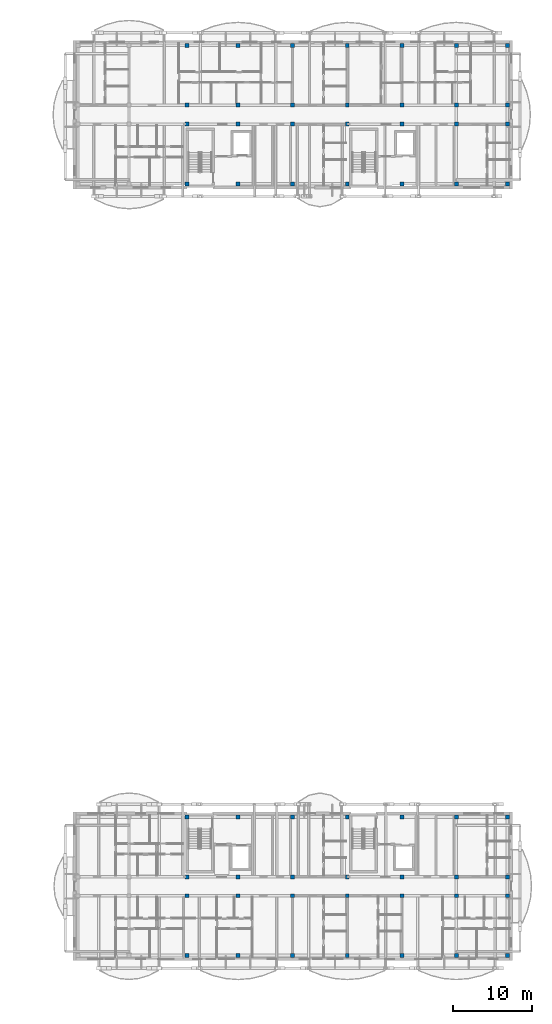
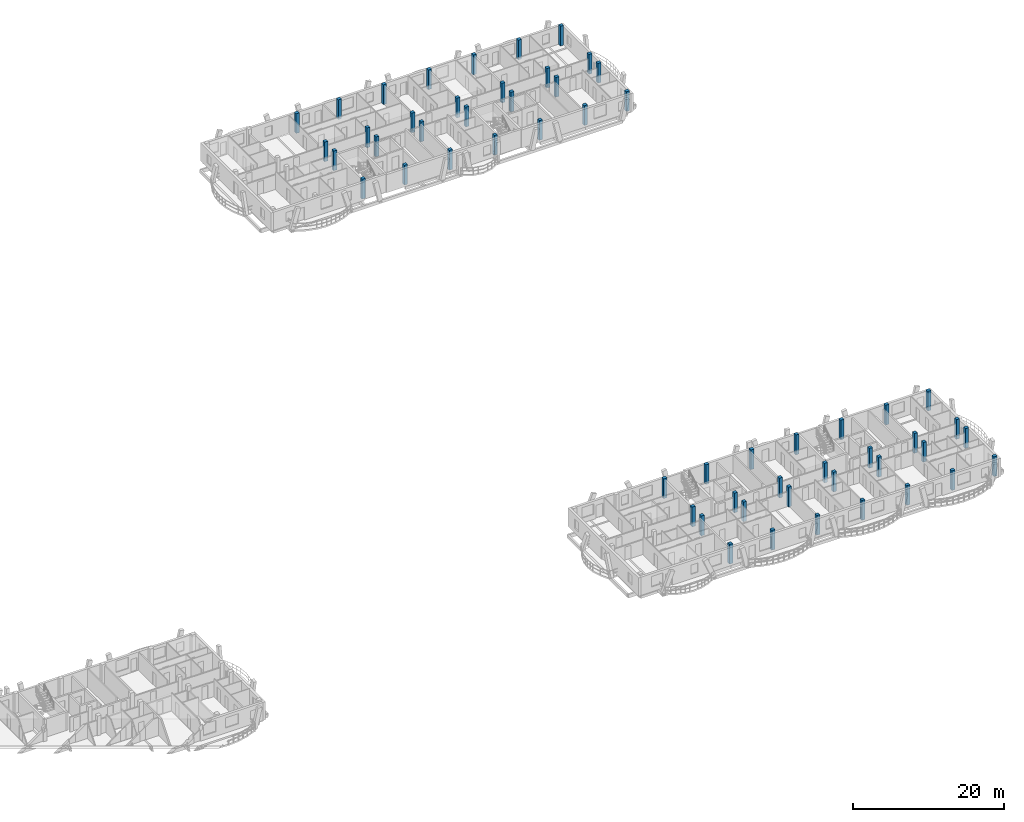
# One storey, part 3 of 50: 56 columns.
"""IFC4 building model written with IfcOpenShell, lengths in metres."""

import ifcopenshell
import ifcopenshell.guid

model = None  # the IFC model being written
_history = None  # IfcOwnerHistory: only IFC2X3 demands one
_inside = {}  # id of a spatial element -> (the spatial element, [elements in it])
_under = {}  # id of a project, library or spatial element -> (it, [spatial elements below it])
_declared = {}  # id of a project -> (the project, [libraries it declares])
_typed = {}  # id of a type object -> (the type object, [elements of that type])
_made_of = {}  # id of a material, layer set ... -> (it, [elements and type objects made of it])


def new_model(schema):
    """Start an empty IFC model of exactly this schema.

    Asked for "IFC4X3", IfcOpenShell would pick the latest addendum, in which some entities
    have other attributes; the version numbers below select the first issue.
    IFC2X3 requires an IfcOwnerHistory on every rooted entity: one is made here for all.
    """
    global model, _history
    if schema == "IFC4X3":
        model = ifcopenshell.file(schema_version=(4, 3, 0, 0))
    else:
        model = ifcopenshell.file(schema=schema)
    _inside.clear()
    _under.clear()
    _declared.clear()
    _typed.clear()
    _made_of.clear()
    _history = None
    if model.schema == "IFC2X3":
        org = make("IfcOrganization", Name="unknown")
        user = make(
            "IfcPersonAndOrganization",
            ThePerson=make("IfcPerson", FamilyName="unknown"),
            TheOrganization=org,
        )
        app = make(
            "IfcApplication",
            ApplicationDeveloper=org,
            Version="unknown",
            ApplicationFullName="unknown",
            ApplicationIdentifier="unknown",
        )
        _history = make(
            "IfcOwnerHistory",
            OwningUser=user,
            OwningApplication=app,
            ChangeAction="ADDED",
            CreationDate=0,
        )
    return model


def make(cls, **values):
    """One entity of the class cls with the attributes given. An attribute that is None is left unset."""
    return model.create_entity(
        cls, **{name: value for name, value in values.items() if value is not None}
    )


def rooted(cls, **values):
    """An entity with a GlobalId (a new one), such as an element, a storey or a relation."""
    return make(cls, GlobalId=ifcopenshell.guid.new(), OwnerHistory=_history, **values)


def si_unit(unit_type, name, prefix=None):
    """IfcSIUnit, for example si_unit("LENGTHUNIT", "METRE", prefix="MILLI")."""
    return make("IfcSIUnit", UnitType=unit_type, Prefix=prefix, Name=name)


def assignment(units):
    """IfcUnitAssignment: the units of a project."""
    return None if units is None else make("IfcUnitAssignment", Units=units)


def point(xyz):
    """IfcCartesianPoint."""
    return None if xyz is None else make("IfcCartesianPoint", Coordinates=xyz)


def direction(xyz):
    """IfcDirection."""
    return None if xyz is None else make("IfcDirection", DirectionRatios=xyz)


def frame(location, z_axis=None, x_axis=None):
    """IfcAxis2Placement3D, a coordinate frame: its origin and axes. An axis left out is left unset."""
    return make(
        "IfcAxis2Placement3D",
        Location=point(location),
        Axis=direction(z_axis),
        RefDirection=direction(x_axis),
    )


def frame_2d(location, x_axis=None):
    """IfcAxis2Placement2D, a coordinate frame in the plane: its origin and x axis."""
    return make(
        "IfcAxis2Placement2D", Location=point(location), RefDirection=direction(x_axis)
    )


def origin():
    """The frame at (0, 0, 0) with its axes left unset."""
    return frame((0.0, 0.0, 0.0))


def origin_2d():
    """The frame at (0, 0) in the plane with its x axis left unset."""
    return frame_2d((0.0, 0.0))


def place(relative_to, where):
    """IfcLocalPlacement: puts the frame where relative to a parent placement (None: the world)."""
    return make(
        "IfcLocalPlacement", PlacementRelTo=relative_to, RelativePlacement=where
    )


def context(
    kind, dimensions, precision=None, world=None, true_north=None, identifier=None
):
    """IfcGeometricRepresentationContext, for example the 3D "Model" context."""
    return make(
        "IfcGeometricRepresentationContext",
        ContextIdentifier=identifier,
        ContextType=kind,
        CoordinateSpaceDimension=dimensions,
        Precision=precision,
        WorldCoordinateSystem=world,
        TrueNorth=true_north,
    )


def subcontext(parent, identifier, kind, view, scale=None):
    """IfcGeometricRepresentationSubContext, for example "Body" below "Model"."""
    return make(
        "IfcGeometricRepresentationSubContext",
        ContextIdentifier=identifier,
        ContextType=kind,
        ParentContext=parent,
        TargetScale=scale,
        TargetView=view,
    )


def project(units=None, contexts=None):
    """IfcProject with its units and contexts."""
    return rooted(
        "IfcProject",
        Name="project",
        RepresentationContexts=contexts,
        UnitsInContext=assignment(units),
    )


def spatial(cls, under=None, at=None, **own):
    """A site, building, storey or space (cls), placed at a placement, below another one or the project."""
    s = rooted(cls, ObjectPlacement=at, **own)
    if under is not None:
        _under.setdefault(under.id(), (under, []))[1].append(s)
    return s


def profile(cls, at=None, kind="AREA", **sizes):
    """A parametric profile (cls). Its sizes go by their IFC names, for example OverallWidth=200.0."""
    return make(cls, ProfileType=kind, Position=at, **sizes)


def rectangle(**sizes):
    """IfcRectangleProfileDef."""
    return profile("IfcRectangleProfileDef", **sizes)


def extrude(swept, where, along, depth):
    """IfcExtrudedAreaSolid: the profile swept, set in the frame where, extruded along a direction by depth."""
    return make(
        "IfcExtrudedAreaSolid",
        SweptArea=swept,
        Position=where,
        ExtrudedDirection=direction(along),
        Depth=depth,
    )


def shape(context_of_items, identifier, shape_type, items):
    """IfcShapeRepresentation: the items that make up one representation, for example the "Body"."""
    return make(
        "IfcShapeRepresentation",
        ContextOfItems=context_of_items,
        RepresentationIdentifier=identifier,
        RepresentationType=shape_type,
        Items=items,
    )


def material(Name=None, Category=None):
    """IfcMaterial."""
    return make("IfcMaterial", Name=Name, Category=Category)


def material_profile(
    of_material, cross_section, Name=None, Category=None, Priority=None
):
    """IfcMaterialProfile: a cross section and its material."""
    return make(
        "IfcMaterialProfile",
        Name=Name,
        Material=of_material,
        Profile=cross_section,
        Priority=Priority,
        Category=Category,
    )


def profile_set(profiles, Name=None, composite=None):
    """IfcMaterialProfileSet."""
    return make(
        "IfcMaterialProfileSet",
        Name=Name,
        MaterialProfiles=profiles,
        CompositeProfile=composite,
    )


def made_of(thing, what):
    """Note that an element or type object is made of a material, layer set ...; save() writes the relation."""
    if what is not None:
        _made_of.setdefault(what.id(), (what, []))[1].append(thing)
    return thing


def type_object(cls, material=None, **own):
    """A type object (cls), such as IfcWallType, which elements share."""
    return made_of(rooted(cls, **own), material)


def element(
    cls,
    number,
    at=None,
    inside=None,
    cuts=None,
    type_object=None,
    material=None,
    context=None,
    identifier="Body",
    shape_type=None,
    held_by="IfcProductDefinitionShape",
    body=None,
    shapes=None,
    **own,
):
    """One element of the class cls, such as IfcWall. Its Tag is "e" and its number.

    at: its placement. inside: the storey or other place that contains it. cuts: it is an
    opening in that element (IfcRelVoidsElement). A single representation is given by context,
    identifier, shape_type and body (its items); several are given by shapes. held_by: the class
    of the entity that holds the representations. save() writes the other relations.
    """
    e = rooted(cls, Tag="e%d" % number, ObjectPlacement=at, **own)
    if body is not None:
        shapes = [shape(context, identifier, shape_type, body)]
    if shapes is not None:
        e.Representation = make(held_by, Representations=shapes)
    if inside is not None:
        _inside.setdefault(inside.id(), (inside, []))[1].append(e)
    if cuts is not None:
        rooted(
            "IfcRelVoidsElement", RelatingBuildingElement=cuts, RelatedOpeningElement=e
        )
    if type_object is not None:
        _typed.setdefault(type_object.id(), (type_object, []))[1].append(e)
    return made_of(e, material)


def aggregate(whole, parts):
    """IfcRelAggregates: a whole, such as a stair, and the parts it consists of."""
    return rooted("IfcRelAggregates", RelatingObject=whole, RelatedObjects=parts)


def save(model, path):
    """Write the relations noted so far, then the file.

    IfcRelAggregates (storeys below a building ...), IfcRelContainedInSpatialStructure (elements
    in a storey), IfcRelDefinesByType, IfcRelAssociatesMaterial and IfcRelDeclares: one each for
    every whole, place, type object, material and project.
    """
    for whole, parts in _under.values():
        aggregate(whole, parts)
    for where, things in _inside.values():
        rooted(
            "IfcRelContainedInSpatialStructure",
            RelatedElements=things,
            RelatingStructure=where,
        )
    for kind, things in _typed.values():
        rooted("IfcRelDefinesByType", RelatedObjects=things, RelatingType=kind)
    for what, things in _made_of.values():
        rooted("IfcRelAssociatesMaterial", RelatedObjects=things, RelatingMaterial=what)
    for by, libraries in _declared.values():
        rooted("IfcRelDeclares", RelatingContext=by, RelatedDefinitions=libraries)
    model.write(path)


model = new_model("IFC4")

# Units and contexts
model_context = context("Model", 3, precision=1e-05, world=origin(), true_north=direction((0.0, 1.0)))
body_context = subcontext(model_context, "Body", "Model", "MODEL_VIEW")
ifc_project = project(units=[si_unit("LENGTHUNIT", "METRE"), si_unit("AREAUNIT", "SQUARE_METRE"), si_unit("VOLUMEUNIT", "CUBIC_METRE"), si_unit("PLANEANGLEUNIT", "RADIAN"), si_unit("MASSUNIT", "GRAM", prefix="KILO")], contexts=[model_context])

# Site, building, storey
site_placement = place(None, origin())
site = spatial("IfcSite", under=ifc_project, at=site_placement, CompositionType="ELEMENT")
building_placement = place(site_placement, origin())
building = spatial("IfcBuilding", under=site, at=building_placement, Name="Zavelmont Quarter", CompositionType="ELEMENT")
storey_placement = place(building_placement, frame((0.0, 0.0, 11.199951171875)))
storey = spatial("IfcBuildingStorey", under=building, at=storey_placement, Name="L03", CompositionType="ELEMENT", Elevation=11.199951171875)

# Columns
ifc_material = material(Name="Concrete C40/50", Category="concrete")
ifc_material_profile = material_profile(ifc_material, rectangle(XDim=0.5, YDim=0.5, at=origin_2d()), Name="RC500X500")
ifc_profile_set = profile_set([ifc_material_profile], Name="Concrete C40/50")
column_type = type_object("IfcColumnType", Name="CL03", PredefinedType="COLUMN", material=ifc_profile_set)
for number, where, z_axis, x_axis, name in (
    (1, (127.0400390625, 98.0400390625, 0.0), (0.0, 0.0, 1.0), (1.0, 0.0, 0.0), "L03 column CL03 at 19/P"),
    (2, (127.0400390625, 105.60009765625, 0.0), (0.0, 0.0, 1.0), (1.0, 0.0, 0.0), "L03 column CL03 at 19/Q"),
    (3, (127.0400390625, 108.0, 0.0), (0.0, 0.0, 1.0), (1.0, 0.0, 0.0), "L03 column CL03 at 19/R"),
    (4, (127.0400390625, 115.56005859375, 0.0), (0.0, 0.0, 1.0), (1.0, 0.0, 0.0), "L03 column CL03 at 19/S"),
    (5, (133.5, 98.0400390625, 0.0), (0.0, 0.0, 1.0), (1.0, 0.0, 0.0), "L03 column CL03 at 20/P"),
    (6, (133.5, 105.60009765625, 0.0), (0.0, 0.0, 1.0), (1.0, 0.0, 0.0), "L03 column CL03 at 20/Q"),
    (7, (133.5, 108.0, 0.0), (0.0, 0.0, 1.0), (1.0, 0.0, 0.0), "L03 column CL03 at 20/R"),
    (8, (133.5, 115.56005859375, 0.0), (0.0, 0.0, 1.0), (1.0, 0.0, 0.0), "L03 column CL03 at 20/S"),
    (9, (140.39990234375, 98.0400390625, 0.0), (0.0, 0.0, 1.0), (1.0, 0.0, 0.0), "L03 column CL03 at 21/P"),
    (10, (140.39990234375, 105.60009765625, 0.0), (0.0, 0.0, 1.0), (1.0, 0.0, 0.0), "L03 column CL03 at 21/Q"),
    (11, (140.39990234375, 108.0, 0.0), (0.0, 0.0, 1.0), (1.0, 0.0, 0.0), "L03 column CL03 at 21/R"),
    (12, (140.39990234375, 115.56005859375, 0.0), (0.0, 0.0, 1.0), (1.0, 0.0, 0.0), "L03 column CL03 at 21/S"),
    (13, (147.300048828125, 98.0400390625, 0.0), (0.0, 0.0, 1.0), (1.0, 0.0, 0.0), "L03 column CL03 at 22/P"),
    (14, (147.300048828125, 105.60009765625, 0.0), (0.0, 0.0, 1.0), (1.0, 0.0, 0.0), "L03 column CL03 at 22/Q"),
    (15, (147.300048828125, 108.0, 0.0), (0.0, 0.0, 1.0), (1.0, 0.0, 0.0), "L03 column CL03 at 22/R"),
    (16, (147.300048828125, 115.56005859375, 0.0), (0.0, 0.0, 1.0), (1.0, 0.0, 0.0), "L03 column CL03 at 22/S"),
    (17, (154.199951171875, 98.0400390625, 0.0), (0.0, 0.0, 1.0), (1.0, 0.0, 0.0), "L03 column CL03 at 23/P"),
    (18, (154.199951171875, 105.60009765625, 0.0), (0.0, 0.0, 1.0), (1.0, 0.0, 0.0), "L03 column CL03 at 23/Q"),
    (19, (154.199951171875, 108.0, 0.0), (0.0, 0.0, 1.0), (1.0, 0.0, 0.0), "L03 column CL03 at 23/R"),
    (20, (154.199951171875, 115.56005859375, 0.0), (0.0, 0.0, 1.0), (1.0, 0.0, 0.0), "L03 column CL03 at 23/S"),
    (21, (161.10009765625, 98.0400390625, 0.0), (0.0, 0.0, 1.0), (1.0, 0.0, 0.0), "L03 column CL03 at 24/P"),
    (22, (161.10009765625, 105.60009765625, 0.0), (0.0, 0.0, 1.0), (1.0, 0.0, 0.0), "L03 column CL03 at 24/Q"),
    (23, (161.10009765625, 108.0, 0.0), (0.0, 0.0, 1.0), (1.0, 0.0, 0.0), "L03 column CL03 at 24/R"),
    (24, (161.10009765625, 115.56005859375, 0.0), (0.0, 0.0, 1.0), (1.0, 0.0, 0.0), "L03 column CL03 at 24/S"),
    (25, (167.56005859375, 98.0400390625, 0.0), (0.0, 0.0, 1.0), (1.0, 0.0, 0.0), "L03 column CL03 at 25/P"),
    (26, (167.56005859375, 105.60009765625, 0.0), (0.0, 0.0, 1.0), (1.0, 0.0, 0.0), "L03 column CL03 at 25/Q"),
    (27, (167.56005859375, 108.0, 0.0), (0.0, 0.0, 1.0), (1.0, 0.0, 0.0), "L03 column CL03 at 25/R"),
    (28, (167.56005859375, 115.56005859375, 0.0), (0.0, 0.0, 1.0), (1.0, 0.0, 0.0), "L03 column CL03 at 25/S"),
    (29, (127.0400390625, 0.43994140625, 0.0), (0.0, 0.0, 1.0), (1.0, 0.0, 0.0), "L03 column CL03 at 19/A"),
    (30, (127.0400390625, 8.0, 0.0), (0.0, 0.0, 1.0), (1.0, 0.0, 0.0), "L03 column CL03 at 19/B"),
    (31, (127.0400390625, 10.39990234375, 0.0), (0.0, 0.0, 1.0), (1.0, 0.0, 0.0), "L03 column CL03 at 19/C"),
    (32, (127.0400390625, 17.9599609375, 0.0), (0.0, 0.0, 1.0), (1.0, 0.0, 0.0), "L03 column CL03 at 19/D"),
    (33, (133.5, 0.43994140625, 0.0), (0.0, 0.0, 1.0), (1.0, 0.0, 0.0), "L03 column CL03 at 20/A"),
    (34, (133.5, 8.0, 0.0), (0.0, 0.0, 1.0), (1.0, 0.0, 0.0), "L03 column CL03 at 20/B"),
    (35, (133.5, 10.39990234375, 0.0), (0.0, 0.0, 1.0), (1.0, 0.0, 0.0), "L03 column CL03 at 20/C"),
    (36, (133.5, 17.9599609375, 0.0), (0.0, 0.0, 1.0), (1.0, 0.0, 0.0), "L03 column CL03 at 20/D"),
    (37, (140.39990234375, 0.43994140625, 0.0), (0.0, 0.0, 1.0), (1.0, 0.0, 0.0), "L03 column CL03 at 21/A"),
    (38, (140.39990234375, 8.0, 0.0), (0.0, 0.0, 1.0), (1.0, 0.0, 0.0), "L03 column CL03 at 21/B"),
    (39, (140.39990234375, 10.39990234375, 0.0), (0.0, 0.0, 1.0), (1.0, 0.0, 0.0), "L03 column CL03 at 21/C"),
    (40, (140.39990234375, 17.9599609375, 0.0), (0.0, 0.0, 1.0), (1.0, 0.0, 0.0), "L03 column CL03 at 21/D"),
    (41, (147.300048828125, 0.43994140625, 0.0), (0.0, 0.0, 1.0), (1.0, 0.0, 0.0), "L03 column CL03 at 22/A"),
    (42, (147.300048828125, 8.0, 0.0), (0.0, 0.0, 1.0), (1.0, 0.0, 0.0), "L03 column CL03 at 22/B"),
    (43, (147.300048828125, 10.39990234375, 0.0), (0.0, 0.0, 1.0), (1.0, 0.0, 0.0), "L03 column CL03 at 22/C"),
    (44, (147.300048828125, 17.9599609375, 0.0), (0.0, 0.0, 1.0), (1.0, 0.0, 0.0), "L03 column CL03 at 22/D"),
    (45, (154.199951171875, 0.43994140625, 0.0), (0.0, 0.0, 1.0), (1.0, 0.0, 0.0), "L03 column CL03 at 23/A"),
    (46, (154.199951171875, 8.0, 0.0), (0.0, 0.0, 1.0), (1.0, 0.0, 0.0), "L03 column CL03 at 23/B"),
    (47, (154.199951171875, 10.39990234375, 0.0), (0.0, 0.0, 1.0), (1.0, 0.0, 0.0), "L03 column CL03 at 23/C"),
    (48, (154.199951171875, 17.9599609375, 0.0), (0.0, 0.0, 1.0), (1.0, 0.0, 0.0), "L03 column CL03 at 23/D"),
    (49, (161.10009765625, 0.43994140625, 0.0), (0.0, 0.0, 1.0), (1.0, 0.0, 0.0), "L03 column CL03 at 24/A"),
    (50, (161.10009765625, 8.0, 0.0), (0.0, 0.0, 1.0), (1.0, 0.0, 0.0), "L03 column CL03 at 24/B"),
    (51, (161.10009765625, 10.39990234375, 0.0), (0.0, 0.0, 1.0), (1.0, 0.0, 0.0), "L03 column CL03 at 24/C"),
    (52, (161.10009765625, 17.9599609375, 0.0), (0.0, 0.0, 1.0), (1.0, 0.0, 0.0), "L03 column CL03 at 24/D"),
    (53, (167.56005859375, 0.43994140625, 0.0), (0.0, 0.0, 1.0), (1.0, 0.0, 0.0), "L03 column CL03 at 25/A"),
    (54, (167.56005859375, 8.0, 0.0), (0.0, 0.0, 1.0), (1.0, 0.0, 0.0), "L03 column CL03 at 25/B"),
    (55, (167.56005859375, 10.39990234375, 0.0), (0.0, 0.0, 1.0), (1.0, 0.0, 0.0), "L03 column CL03 at 25/C"),
    (56, (167.56005859375, 17.9599609375, 0.0), (0.0, 0.0, 1.0), (1.0, 0.0, 0.0), "L03 column CL03 at 25/D"),
):
    element("IfcColumn", number, at=place(storey_placement, frame(where, z_axis=z_axis, x_axis=x_axis)), inside=storey, type_object=column_type, Name=name, PredefinedType="COLUMN", context=body_context, shape_type="SweptSolid", body=[
        extrude(rectangle(XDim=0.5, YDim=0.5, at=origin_2d()), origin(), (0.0, 0.0, 1.0), 3.199951171875),
    ])

save(model, "model.ifc")
